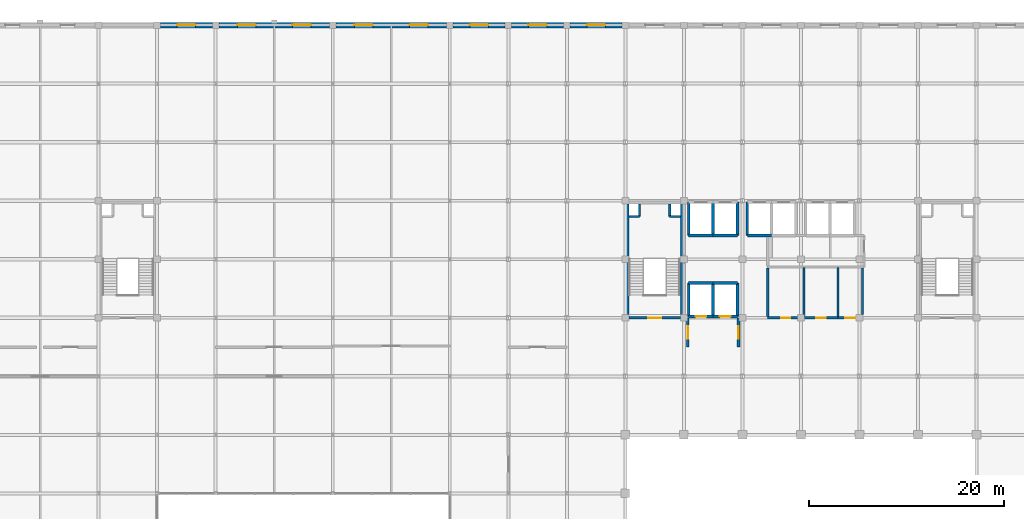
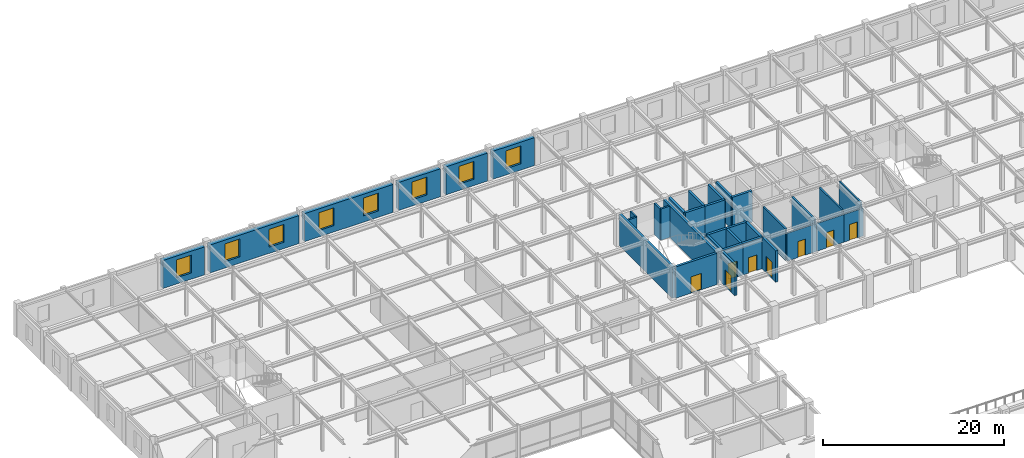
# One storey, part 101 of 108: 36 walls, 8 doors, 8 windows, 16 openings.
"""IFC4 building model written with IfcOpenShell, lengths in metres."""

from ifc_helpers import new_model, si_unit, direction, frame, frame_2d, origin, place, context, subcontext, project, spatial, rectangle, extrude, material, layer, layer_set, type_object, element, fill, save


model = new_model("IFC4")

# Units and contexts
model_context = context("Model", 3, precision=1e-05, world=origin(), true_north=direction((0.0, 1.0)))
body_context = subcontext(model_context, "Body", "Model", "MODEL_VIEW")
ifc_project = project(units=[si_unit("LENGTHUNIT", "METRE"), si_unit("AREAUNIT", "SQUARE_METRE"), si_unit("VOLUMEUNIT", "CUBIC_METRE"), si_unit("PLANEANGLEUNIT", "RADIAN"), si_unit("MASSUNIT", "GRAM", prefix="KILO")], contexts=[model_context])

# Site, building, storey
site_placement = place(None, origin())
site = spatial("IfcSite", under=ifc_project, at=site_placement, CompositionType="ELEMENT")
building_placement = place(site_placement, origin())
building = spatial("IfcBuilding", under=site, at=building_placement, Name="Zlatovratsky Civic Hall", CompositionType="ELEMENT")
storey_placement = place(building_placement, frame((0.0, 0.0, 12.0)))
storey = spatial("IfcBuildingStorey", under=building, at=storey_placement, Name="L03", CompositionType="ELEMENT", Elevation=12.0)

# Wall, opening, window
ifc_material_1 = material(Name="Acoustic ceramic blockwork", Category="masonry")
ifc_layer_1 = layer(ifc_material_1, 0.39990234375, Name="Backing")
ifc_material_2 = material(Name="Polished Karelian granite ashlar", Category="masonry")
ifc_layer_2 = layer(ifc_material_2, 0.139892578125, Name="Finish")
ifc_layer_set_1 = layer_set([ifc_layer_1, ifc_layer_2], Name="Acoustic ceramic blockwork")
wall_type_1 = type_object("IfcWallType", Name="Wall_PodiumGraniteArcade_540", PredefinedType="SOLIDWALL", material=ifc_layer_set_1)
wall_1_placement = place(storey_placement, frame((18.35009765625, 114.0, 0.0), z_axis=(0.0, 0.0, 1.0), x_axis=(1.0, 0.0, 0.0)))
wall_1 = element("IfcWall", 1, at=wall_1_placement, inside=storey, type_object=wall_type_1, Name="WL-0261", PredefinedType="SOLIDWALL", context=body_context, shape_type="SweptSolid", body=[
    extrude(rectangle(XDim=5.2998046875, YDim=0.5400390625, at=frame_2d((2.64990234375, 0.0))), origin(), (0.0, 0.0, 1.0), 3.77001953125),
])
opening_1_placement = place(wall_1_placement, frame((1.699951171875, 0.0, 0.85009765625)))
opening_1 = element("IfcOpeningElement", 2, at=opening_1_placement, cuts=wall_1, Name="Opening WN-08", PredefinedType="OPENING", context=body_context, shape_type="SweptSolid", body=[
    extrude(rectangle(XDim=1.89990234375, YDim=2.39990234375, at=frame_2d((0.949951171875, 1.199951171875))), frame((0.0, 0.284912109375, 0.0), z_axis=(0.0, -1.0, 0.0), x_axis=(1.0, 0.0, 0.0)), (0.0, 0.0, 1.0), 0.56982421875),
])
ifc_material_3 = material(Name="Low-E laminated double glazing", Category="glass")
window_type = type_object("IfcWindowType", Name="Window_CommitteeWingL03_1900x2400", PartitioningType="SINGLE_PANEL", PredefinedType="WINDOW", material=ifc_material_3)
window_1_placement = place(opening_1_placement, origin())
window_1 = element("IfcWindow", 3, at=window_1_placement, inside=storey, type_object=window_type, Name="WN-0191", OverallHeight=2.39990234375, OverallWidth=1.89990234375, PartitioningType="SINGLE_PANEL", PredefinedType="WINDOW", context=body_context, shape_type="SweptSolid", body=[
    extrude(rectangle(XDim=1.89990234375, YDim=2.39990234375, at=frame_2d((0.949951171875, 1.199951171875))), frame((0.0, 0.030029296875, 0.0), z_axis=(0.0, -1.0, 0.0), x_axis=(1.0, 0.0, 0.0)), (0.0, 0.0, 1.0), 0.06005859375),
])
fill(opening_1, window_1)

# Wall, openings, windows
wall_2_placement = place(storey_placement, frame((24.35009765625, 114.0, 0.0), z_axis=(0.0, 0.0, 1.0), x_axis=(1.0, 0.0, 0.0)))
wall_2 = element("IfcWall", 4, at=wall_2_placement, inside=storey, type_object=wall_type_1, Name="WL-0262", PredefinedType="SOLIDWALL", context=body_context, shape_type="SweptSolid", body=[
    extrude(rectangle(XDim=11.2998046875, YDim=0.5400390625, at=frame_2d((5.64990234375, 0.0))), origin(), (0.0, 0.0, 1.0), 3.77001953125),
])
opening_2_placement = place(wall_2_placement, frame((1.875, 0.0, 0.85009765625)))
opening_2 = element("IfcOpeningElement", 5, at=opening_2_placement, cuts=wall_2, Name="Opening WN-08", PredefinedType="OPENING", context=body_context, shape_type="SweptSolid", body=[
    extrude(rectangle(XDim=1.89990234375, YDim=2.39990234375, at=frame_2d((0.949951171875, 1.199951171875))), frame((0.0, 0.284912109375, 0.0), z_axis=(0.0, -1.0, 0.0), x_axis=(1.0, 0.0, 0.0)), (0.0, 0.0, 1.0), 0.56982421875),
])
opening_3_placement = place(wall_2_placement, frame((7.52490234375, 0.0, 0.85009765625)))
opening_3 = element("IfcOpeningElement", 6, at=opening_3_placement, cuts=wall_2, Name="Opening WN-08", PredefinedType="OPENING", context=body_context, shape_type="SweptSolid", body=[
    extrude(rectangle(XDim=1.89990234375, YDim=2.39990234375, at=frame_2d((0.949951171875, 1.199951171875))), frame((0.0, 0.284912109375, 0.0), z_axis=(0.0, -1.0, 0.0), x_axis=(1.0, 0.0, 0.0)), (0.0, 0.0, 1.0), 0.56982421875),
])
window_2_placement = place(opening_2_placement, origin())
window_2 = element("IfcWindow", 7, at=window_2_placement, inside=storey, type_object=window_type, Name="WN-0192", OverallHeight=2.39990234375, OverallWidth=1.89990234375, PartitioningType="SINGLE_PANEL", PredefinedType="WINDOW", context=body_context, shape_type="SweptSolid", body=[
    extrude(rectangle(XDim=1.89990234375, YDim=2.39990234375, at=frame_2d((0.949951171875, 1.199951171875))), frame((0.0, 0.030029296875, 0.0), z_axis=(0.0, -1.0, 0.0), x_axis=(1.0, 0.0, 0.0)), (0.0, 0.0, 1.0), 0.06005859375),
])
fill(opening_2, window_2)
window_3_placement = place(opening_3_placement, origin())
window_3 = element("IfcWindow", 8, at=window_3_placement, inside=storey, type_object=window_type, Name="WN-0193", OverallHeight=2.39990234375, OverallWidth=1.89990234375, PartitioningType="SINGLE_PANEL", PredefinedType="WINDOW", context=body_context, shape_type="SweptSolid", body=[
    extrude(rectangle(XDim=1.89990234375, YDim=2.39990234375, at=frame_2d((0.949951171875, 1.199951171875))), frame((0.0, 0.030029296875, 0.0), z_axis=(0.0, -1.0, 0.0), x_axis=(1.0, 0.0, 0.0)), (0.0, 0.0, 1.0), 0.06005859375),
])
fill(opening_3, window_3)

wall_3_placement = place(storey_placement, frame((36.35009765625, 114.0, 0.0), z_axis=(0.0, 0.0, 1.0), x_axis=(1.0, 0.0, 0.0)))
wall_3 = element("IfcWall", 9, at=wall_3_placement, inside=storey, type_object=wall_type_1, Name="WL-0263", PredefinedType="SOLIDWALL", context=body_context, shape_type="SweptSolid", body=[
    extrude(rectangle(XDim=11.2998046875, YDim=0.5400390625, at=frame_2d((5.64990234375, 0.0))), origin(), (0.0, 0.0, 1.0), 3.77001953125),
])
opening_4_placement = place(wall_3_placement, frame((1.875, 0.0, 0.85009765625)))
opening_4 = element("IfcOpeningElement", 10, at=opening_4_placement, cuts=wall_3, Name="Opening WN-08", PredefinedType="OPENING", context=body_context, shape_type="SweptSolid", body=[
    extrude(rectangle(XDim=1.89990234375, YDim=2.39990234375, at=frame_2d((0.949951171875, 1.199951171875))), frame((0.0, 0.284912109375, 0.0), z_axis=(0.0, -1.0, 0.0), x_axis=(1.0, 0.0, 0.0)), (0.0, 0.0, 1.0), 0.56982421875),
])
opening_5_placement = place(wall_3_placement, frame((7.52490234375, 0.0, 0.85009765625)))
opening_5 = element("IfcOpeningElement", 11, at=opening_5_placement, cuts=wall_3, Name="Opening WN-08", PredefinedType="OPENING", context=body_context, shape_type="SweptSolid", body=[
    extrude(rectangle(XDim=1.89990234375, YDim=2.39990234375, at=frame_2d((0.949951171875, 1.199951171875))), frame((0.0, 0.284912109375, 0.0), z_axis=(0.0, -1.0, 0.0), x_axis=(1.0, 0.0, 0.0)), (0.0, 0.0, 1.0), 0.56982421875),
])
window_4_placement = place(opening_4_placement, origin())
window_4 = element("IfcWindow", 12, at=window_4_placement, inside=storey, type_object=window_type, Name="WN-0194", OverallHeight=2.39990234375, OverallWidth=1.89990234375, PartitioningType="SINGLE_PANEL", PredefinedType="WINDOW", context=body_context, shape_type="SweptSolid", body=[
    extrude(rectangle(XDim=1.89990234375, YDim=2.39990234375, at=frame_2d((0.949951171875, 1.199951171875))), frame((0.0, 0.030029296875, 0.0), z_axis=(0.0, -1.0, 0.0), x_axis=(1.0, 0.0, 0.0)), (0.0, 0.0, 1.0), 0.06005859375),
])
fill(opening_4, window_4)
window_5_placement = place(opening_5_placement, origin())
window_5 = element("IfcWindow", 13, at=window_5_placement, inside=storey, type_object=window_type, Name="WN-0195", OverallHeight=2.39990234375, OverallWidth=1.89990234375, PartitioningType="SINGLE_PANEL", PredefinedType="WINDOW", context=body_context, shape_type="SweptSolid", body=[
    extrude(rectangle(XDim=1.89990234375, YDim=2.39990234375, at=frame_2d((0.949951171875, 1.199951171875))), frame((0.0, 0.030029296875, 0.0), z_axis=(0.0, -1.0, 0.0), x_axis=(1.0, 0.0, 0.0)), (0.0, 0.0, 1.0), 0.06005859375),
])
fill(opening_5, window_5)

# Wall, opening, window
wall_4_placement = place(storey_placement, frame((48.35009765625, 114.0, 0.0), z_axis=(0.0, 0.0, 1.0), x_axis=(1.0, 0.0, 0.0)))
wall_4 = element("IfcWall", 14, at=wall_4_placement, inside=storey, type_object=wall_type_1, Name="WL-0264", PredefinedType="SOLIDWALL", context=body_context, shape_type="SweptSolid", body=[
    extrude(rectangle(XDim=5.2998046875, YDim=0.5400390625, at=frame_2d((2.64990234375, 0.0))), origin(), (0.0, 0.0, 1.0), 3.77001953125),
])
opening_6_placement = place(wall_4_placement, frame((1.699951171875, 0.0, 0.85009765625)))
opening_6 = element("IfcOpeningElement", 15, at=opening_6_placement, cuts=wall_4, Name="Opening WN-08", PredefinedType="OPENING", context=body_context, shape_type="SweptSolid", body=[
    extrude(rectangle(XDim=1.89990234375, YDim=2.39990234375, at=frame_2d((0.949951171875, 1.199951171875))), frame((0.0, 0.284912109375, 0.0), z_axis=(0.0, -1.0, 0.0), x_axis=(1.0, 0.0, 0.0)), (0.0, 0.0, 1.0), 0.56982421875),
])
window_6_placement = place(opening_6_placement, origin())
window_6 = element("IfcWindow", 16, at=window_6_placement, inside=storey, type_object=window_type, Name="WN-0196", OverallHeight=2.39990234375, OverallWidth=1.89990234375, PartitioningType="SINGLE_PANEL", PredefinedType="WINDOW", context=body_context, shape_type="SweptSolid", body=[
    extrude(rectangle(XDim=1.89990234375, YDim=2.39990234375, at=frame_2d((0.949951171875, 1.199951171875))), frame((0.0, 0.030029296875, 0.0), z_axis=(0.0, -1.0, 0.0), x_axis=(1.0, 0.0, 0.0)), (0.0, 0.0, 1.0), 0.06005859375),
])
fill(opening_6, window_6)

wall_5_placement = place(storey_placement, frame((54.35009765625, 114.0, 0.0), z_axis=(0.0, 0.0, 1.0), x_axis=(1.0, 0.0, 0.0)))
wall_5 = element("IfcWall", 17, at=wall_5_placement, inside=storey, type_object=wall_type_1, Name="WL-0265", PredefinedType="SOLIDWALL", context=body_context, shape_type="SweptSolid", body=[
    extrude(rectangle(XDim=5.2998046875, YDim=0.5400390625, at=frame_2d((2.64990234375, 0.0))), origin(), (0.0, 0.0, 1.0), 3.77001953125),
])
opening_7_placement = place(wall_5_placement, frame((1.699951171875, 0.0, 0.85009765625)))
opening_7 = element("IfcOpeningElement", 18, at=opening_7_placement, cuts=wall_5, Name="Opening WN-08", PredefinedType="OPENING", context=body_context, shape_type="SweptSolid", body=[
    extrude(rectangle(XDim=1.89990234375, YDim=2.39990234375, at=frame_2d((0.949951171875, 1.199951171875))), frame((0.0, 0.284912109375, 0.0), z_axis=(0.0, -1.0, 0.0), x_axis=(1.0, 0.0, 0.0)), (0.0, 0.0, 1.0), 0.56982421875),
])
window_7_placement = place(opening_7_placement, origin())
window_7 = element("IfcWindow", 19, at=window_7_placement, inside=storey, type_object=window_type, Name="WN-0197", OverallHeight=2.39990234375, OverallWidth=1.89990234375, PartitioningType="SINGLE_PANEL", PredefinedType="WINDOW", context=body_context, shape_type="SweptSolid", body=[
    extrude(rectangle(XDim=1.89990234375, YDim=2.39990234375, at=frame_2d((0.949951171875, 1.199951171875))), frame((0.0, 0.030029296875, 0.0), z_axis=(0.0, -1.0, 0.0), x_axis=(1.0, 0.0, 0.0)), (0.0, 0.0, 1.0), 0.06005859375),
])
fill(opening_7, window_7)

wall_6_placement = place(storey_placement, frame((60.35009765625, 114.0, 0.0), z_axis=(0.0, 0.0, 1.0), x_axis=(1.0, 0.0, 0.0)))
wall_6 = element("IfcWall", 20, at=wall_6_placement, inside=storey, type_object=wall_type_1, Name="WL-0266", PredefinedType="SOLIDWALL", context=body_context, shape_type="SweptSolid", body=[
    extrude(rectangle(XDim=5.2998046875, YDim=0.5400390625, at=frame_2d((2.64990234375, 0.0))), origin(), (0.0, 0.0, 1.0), 3.77001953125),
])
opening_8_placement = place(wall_6_placement, frame((1.699951171875, 0.0, 0.85009765625)))
opening_8 = element("IfcOpeningElement", 21, at=opening_8_placement, cuts=wall_6, Name="Opening WN-08", PredefinedType="OPENING", context=body_context, shape_type="SweptSolid", body=[
    extrude(rectangle(XDim=1.89990234375, YDim=2.39990234375, at=frame_2d((0.949951171875, 1.199951171875))), frame((0.0, 0.284912109375, 0.0), z_axis=(0.0, -1.0, 0.0), x_axis=(1.0, 0.0, 0.0)), (0.0, 0.0, 1.0), 0.56982421875),
])
window_8_placement = place(opening_8_placement, origin())
window_8 = element("IfcWindow", 22, at=window_8_placement, inside=storey, type_object=window_type, Name="WN-0198", OverallHeight=2.39990234375, OverallWidth=1.89990234375, PartitioningType="SINGLE_PANEL", PredefinedType="WINDOW", context=body_context, shape_type="SweptSolid", body=[
    extrude(rectangle(XDim=1.89990234375, YDim=2.39990234375, at=frame_2d((0.949951171875, 1.199951171875))), frame((0.0, 0.030029296875, 0.0), z_axis=(0.0, -1.0, 0.0), x_axis=(1.0, 0.0, 0.0)), (0.0, 0.0, 1.0), 0.06005859375),
])
fill(opening_8, window_8)

# Walls
ifc_layer_3 = layer(ifc_material_1, 0.219970703125)
ifc_layer_set_2 = layer_set([ifc_layer_3], Name="Acoustic ceramic blockwork")
wall_type_2 = type_object("IfcWallType", Name="Wall_SanitaryWetCore_220", PredefinedType="PARTITIONING", material=ifc_layer_set_2)
wall_7_placement = place(storey_placement, frame((67.449951171875, 94.39990234375, 0.0), z_axis=(0.0, 0.0, 1.0), x_axis=(0.0, 1.0, 0.0)))
element("IfcWall", 23, at=wall_7_placement, inside=storey, type_object=wall_type_2, Name="WL-5029", PredefinedType="PARTITIONING", context=body_context, shape_type="SweptSolid", body=[
    extrude(rectangle(XDim=1.25, YDim=0.219970703125, at=frame_2d((0.625, 0.0))), origin(), (0.0, 0.0, 1.0), 4.219970703125),
])
wall_8_placement = place(storey_placement, frame((66.35009765625, 94.39990234375, 0.0), z_axis=(0.0, 0.0, 1.0), x_axis=(1.0, 0.0, 0.0)))
element("IfcWall", 24, at=wall_8_placement, inside=storey, type_object=wall_type_2, Name="WL-5030", PredefinedType="PARTITIONING", context=body_context, shape_type="SweptSolid", body=[
    extrude(rectangle(XDim=1.099853515625, YDim=0.219970703125, at=frame_2d((0.5498046875, 0.0))), origin(), (0.0, 0.0, 1.0), 4.219970703125),
])
wall_9_placement = place(storey_placement, frame((70.550048828125, 94.39990234375, 0.0), z_axis=(0.0, 0.0, 1.0), x_axis=(0.0, 1.0, 0.0)))
element("IfcWall", 25, at=wall_9_placement, inside=storey, type_object=wall_type_2, Name="WL-5031", PredefinedType="PARTITIONING", context=body_context, shape_type="SweptSolid", body=[
    extrude(rectangle(XDim=1.25, YDim=0.219970703125, at=frame_2d((0.625, 0.0))), origin(), (0.0, 0.0, 1.0), 4.219970703125),
])
wall_10_placement = place(storey_placement, frame((70.550048828125, 94.39990234375, 0.0), z_axis=(0.0, 0.0, 1.0), x_axis=(1.0, 0.0, 0.0)))
element("IfcWall", 26, at=wall_10_placement, inside=storey, type_object=wall_type_2, Name="WL-5032", PredefinedType="PARTITIONING", context=body_context, shape_type="SweptSolid", body=[
    extrude(rectangle(XDim=1.099853515625, YDim=0.219970703125, at=frame_2d((0.5498046875, 0.0))), origin(), (0.0, 0.0, 1.0), 4.219970703125),
])

# Wall, opening, door
wall_11_placement = place(storey_placement, frame((80.60009765625, 84.0, 0.0), z_axis=(0.0, 0.0, 1.0), x_axis=(1.0, 0.0, 0.0)))
wall_11 = element("IfcWall", 27, at=wall_11_placement, inside=storey, type_object=wall_type_2, Name="WL-6162", PredefinedType="PARTITIONING", context=body_context, shape_type="SweptSolid", body=[
    extrude(rectangle(XDim=3.699951171875, YDim=0.219970703125, at=frame_2d((1.85009765625, 0.0))), origin(), (0.0, 0.0, 1.0), 3.738037109375),
])
opening_9_placement = place(wall_11_placement, frame((1.375, 0.0, 0.0)))
opening_9 = element("IfcOpeningElement", 28, at=opening_9_placement, cuts=wall_11, Name="Opening D-21", PredefinedType="OPENING", context=body_context, shape_type="SweptSolid", body=[
    extrude(rectangle(XDim=0.949951171875, YDim=2.14990234375, at=frame_2d((0.47509765625, 1.074951171875))), frame((0.0, 0.125, 0.0), z_axis=(0.0, -1.0, 0.0), x_axis=(1.0, 0.0, 0.0)), (0.0, 0.0, 1.0), 0.249755859375),
])
ifc_material_4 = material(Name="Solid oak joinery in steel frame", Category="steel")
door_type_1 = type_object("IfcDoorType", Name="Door_MensWC_950x2150", OperationType="NOTDEFINED", PredefinedType="DOOR", material=ifc_material_4)
door_1_placement = place(opening_9_placement, origin())
door_1 = element("IfcDoor", 29, at=door_1_placement, inside=storey, type_object=door_type_1, Name="DR-5286", OperationType="SINGLE_SWING_LEFT", OverallHeight=2.14990234375, OverallWidth=0.949951171875, PredefinedType="DOOR", context=body_context, shape_type="SweptSolid", body=[
    extrude(rectangle(XDim=0.949951171875, YDim=2.14990234375, at=frame_2d((0.47509765625, 1.074951171875))), frame((0.0, 0.02490234375, 0.0), z_axis=(0.0, -1.0, 0.0), x_axis=(1.0, 0.0, 0.0)), (0.0, 0.0, 1.0), 0.050048828125),
])
fill(opening_9, door_1)

wall_12_placement = place(storey_placement, frame((84.300048828125, 84.0, 0.0), z_axis=(0.0, 0.0, 1.0), x_axis=(1.0, 0.0, 0.0)))
wall_12 = element("IfcWall", 30, at=wall_12_placement, inside=storey, type_object=wall_type_2, Name="WL-6163", PredefinedType="PARTITIONING", context=body_context, shape_type="SweptSolid", body=[
    extrude(rectangle(XDim=3.5, YDim=0.219970703125, at=frame_2d((1.75, 0.0))), origin(), (0.0, 0.0, 1.0), 3.738037109375),
])
opening_10_placement = place(wall_12_placement, frame((1.27490234375, 0.0, 0.0)))
opening_10 = element("IfcOpeningElement", 31, at=opening_10_placement, cuts=wall_12, Name="Opening D-22", PredefinedType="OPENING", context=body_context, shape_type="SweptSolid", body=[
    extrude(rectangle(XDim=0.949951171875, YDim=2.10009765625, at=frame_2d((0.47509765625, 1.050048828125))), frame((0.0, 0.125, 0.0), z_axis=(0.0, -1.0, 0.0), x_axis=(1.0, 0.0, 0.0)), (0.0, 0.0, 1.0), 0.249755859375),
])
door_type_2 = type_object("IfcDoorType", Name="Door_WomensWC_950x2100", OperationType="NOTDEFINED", PredefinedType="DOOR", material=ifc_material_4)
door_2_placement = place(opening_10_placement, origin())
door_2 = element("IfcDoor", 32, at=door_2_placement, inside=storey, type_object=door_type_2, Name="DR-5287", OperationType="SINGLE_SWING_RIGHT", OverallHeight=2.10009765625, OverallWidth=0.949951171875, PredefinedType="DOOR", context=body_context, shape_type="SweptSolid", body=[
    extrude(rectangle(XDim=0.949951171875, YDim=2.10009765625, at=frame_2d((0.47509765625, 1.050048828125))), frame((0.0, 0.02490234375, 0.0), z_axis=(0.0, -1.0, 0.0), x_axis=(1.0, 0.0, 0.0)), (0.0, 0.0, 1.0), 0.050048828125),
])
fill(opening_10, door_2)

wall_13_placement = place(storey_placement, frame((87.800048828125, 84.0, 0.0), z_axis=(0.0, 0.0, 1.0), x_axis=(1.0, 0.0, 0.0)))
wall_13 = element("IfcWall", 33, at=wall_13_placement, inside=storey, type_object=wall_type_2, Name="WL-6164", PredefinedType="PARTITIONING", context=body_context, shape_type="SweptSolid", body=[
    extrude(rectangle(XDim=2.5, YDim=0.219970703125, at=frame_2d((1.25, 0.0))), origin(), (0.0, 0.0, 1.0), 3.738037109375),
])
opening_11_placement = place(wall_13_placement, frame((0.75, 0.0, 0.0)))
opening_11 = element("IfcOpeningElement", 34, at=opening_11_placement, cuts=wall_13, Name="Opening D-20", PredefinedType="OPENING", context=body_context, shape_type="SweptSolid", body=[
    extrude(rectangle(XDim=1.0, YDim=2.14990234375, at=frame_2d((0.5, 1.074951171875))), frame((0.0, 0.125, 0.0), z_axis=(0.0, -1.0, 0.0), x_axis=(1.0, 0.0, 0.0)), (0.0, 0.0, 1.0), 0.249755859375),
])
door_type_3 = type_object("IfcDoorType", Name="Door_AccessibleWC_1000x2150", OperationType="NOTDEFINED", PredefinedType="DOOR", material=ifc_material_4)
door_3_placement = place(opening_11_placement, origin())
door_3 = element("IfcDoor", 35, at=door_3_placement, inside=storey, type_object=door_type_3, Name="DR-5288", OperationType="SINGLE_SWING_LEFT", OverallHeight=2.14990234375, OverallWidth=1.0, PredefinedType="DOOR", context=body_context, shape_type="SweptSolid", body=[
    extrude(rectangle(XDim=1.0, YDim=2.14990234375, at=frame_2d((0.5, 1.074951171875))), frame((0.0, 0.02490234375, 0.0), z_axis=(0.0, -1.0, 0.0), x_axis=(1.0, 0.0, 0.0)), (0.0, 0.0, 1.0), 0.050048828125),
])
fill(opening_11, door_3)

# Walls
for number, where, z_axis, x_axis, name in (
    (36, (84.300048828125, 84.14990234375, 0.0), (0.0, 0.0, 1.0), (0.0, 1.0, 0.0), "WL-6165"),
    (37, (87.800048828125, 84.14990234375, 0.0), (0.0, 0.0, 1.0), (0.0, 1.0, 0.0), "WL-6166"),
):
    element("IfcWall", number, at=place(storey_placement, frame(where, z_axis=z_axis, x_axis=x_axis)), inside=storey, type_object=wall_type_2, Name=name, PredefinedType="PARTITIONING", context=body_context, shape_type="SweptSolid", body=[
        extrude(rectangle(XDim=5.0, YDim=0.219970703125, at=frame_2d((2.5, 0.0))), origin(), (0.0, 0.0, 1.0), 4.219970703125),
    ])
wall_14_placement = place(storey_placement, frame((80.60009765625, 84.110107421875, 0.0), z_axis=(0.0, 0.0, 1.0), x_axis=(0.0, 1.0, 0.0)))
element("IfcWall", 38, at=wall_14_placement, inside=storey, type_object=wall_type_2, Name="WL-6205", PredefinedType="PARTITIONING", context=body_context, shape_type="SweptSolid", body=[
    extrude(rectangle(XDim=4.97998046875, YDim=0.219970703125, at=frame_2d((2.489990234375, 0.0))), origin(), (0.0, 0.0, 1.0), 4.219970703125),
])
wall_15_placement = place(storey_placement, frame((90.300048828125, 84.360107421875, 0.0), z_axis=(0.0, 0.0, 1.0), x_axis=(0.0, 1.0, 0.0)))
element("IfcWall", 39, at=wall_15_placement, inside=storey, type_object=wall_type_2, Name="WL-6206", PredefinedType="PARTITIONING", context=body_context, shape_type="SweptSolid", body=[
    extrude(rectangle(XDim=4.72998046875, YDim=0.219970703125, at=frame_2d((2.364990234375, 0.0))), origin(), (0.0, 0.0, 1.0), 4.219970703125),
])

# Wall, opening, door
ifc_material_5 = material(Name="Concrete C35/45 (B40)", Category="concrete")
ifc_layer_4 = layer(ifc_material_5, 0.300048828125)
ifc_layer_set_3 = layer_set([ifc_layer_4], Name="Concrete C35/45 (B40)")
wall_type_3 = type_object("IfcWallType", Name="Wall_StairAndLiftShaft_300", PredefinedType="SHEAR", material=ifc_layer_set_3)
wall_16_placement = place(storey_placement, frame((66.35009765625, 84.0, 0.0), z_axis=(0.0, 0.0, 1.0), x_axis=(1.0, 0.0, 0.0)))
wall_16 = element("IfcWall", 40, at=wall_16_placement, inside=storey, type_object=wall_type_3, Name="WL-5025", PredefinedType="SHEAR", context=body_context, shape_type="SweptSolid", body=[
    extrude(rectangle(XDim=5.2998046875, YDim=0.300048828125, at=frame_2d((2.64990234375, 0.0))), origin(), (0.0, 0.0, 1.0), 4.219970703125),
])
opening_12_placement = place(wall_16_placement, frame((1.97509765625, 0.0, 0.0)))
opening_12 = element("IfcOpeningElement", 41, at=opening_12_placement, cuts=wall_16, Name="Opening D-17", PredefinedType="OPENING", context=body_context, shape_type="SweptSolid", body=[
    extrude(rectangle(XDim=1.35009765625, YDim=2.199951171875, at=frame_2d((0.675048828125, 1.10009765625))), frame((0.0, 0.1650390625, 0.0), z_axis=(0.0, -1.0, 0.0), x_axis=(1.0, 0.0, 0.0)), (0.0, 0.0, 1.0), 0.329833984375),
])
ifc_material_6 = material(Name="Insulated painted fire-rated steel leaf", Category="steel")
door_type_4 = type_object("IfcDoorType", Name="Door_StairwellFireTower_1350x2200", OperationType="NOTDEFINED", PredefinedType="DOOR", material=ifc_material_6)
door_4_placement = place(opening_12_placement, origin())
door_4 = element("IfcDoor", 42, at=door_4_placement, inside=storey, type_object=door_type_4, Name="DR-5004", OperationType="SINGLE_SWING_LEFT", OverallHeight=2.199951171875, OverallWidth=1.35009765625, PredefinedType="DOOR", context=body_context, shape_type="SweptSolid", body=[
    extrude(rectangle(XDim=1.35009765625, YDim=2.199951171875, at=frame_2d((0.675048828125, 1.10009765625))), frame((0.0, 0.02490234375, 0.0), z_axis=(0.0, -1.0, 0.0), x_axis=(1.0, 0.0, 0.0)), (0.0, 0.0, 1.0), 0.050048828125),
])
fill(opening_12, door_4)

# Walls
for number, where, z_axis, x_axis, name in (
    (43, (66.199951171875, 84.0, 0.0), (0.0, 0.0, 1.0), (0.0, 1.0, 0.0), "WL-5027"),
    (44, (71.800048828125, 84.0, 0.0), (0.0, 0.0, 1.0), (0.0, 1.0, 0.0), "WL-5028"),
):
    element("IfcWall", number, at=place(storey_placement, frame(where, z_axis=z_axis, x_axis=x_axis)), inside=storey, type_object=wall_type_3, Name=name, PredefinedType="SHEAR", context=body_context, shape_type="SweptSolid", body=[
        extrude(rectangle(XDim=11.800048828125, YDim=0.300048828125, at=frame_2d((5.89990234375, 0.0))), origin(), (0.0, 0.0, 1.0), 4.219970703125),
    ])

# Wall, opening, door
wall_17_placement = place(storey_placement, frame((72.5, 84.14990234375, 0.0), z_axis=(0.0, 0.0, 1.0), x_axis=(1.0, 0.0, 0.0)))
wall_17 = element("IfcWall", 45, at=wall_17_placement, inside=storey, type_object=wall_type_3, Name="WL-5502", PredefinedType="SHEAR", context=body_context, shape_type="SweptSolid", body=[
    extrude(rectangle(XDim=2.5, YDim=0.300048828125, at=frame_2d((1.25, 0.0))), origin(), (0.0, 0.0, 1.0), 4.219970703125),
])
opening_13_placement = place(wall_17_placement, frame((0.699951171875, 0.0, 0.0)))
opening_13 = element("IfcOpeningElement", 46, at=opening_13_placement, cuts=wall_17, Name="Opening LD-01", PredefinedType="OPENING", context=body_context, shape_type="SweptSolid", body=[
    extrude(rectangle(XDim=1.10009765625, YDim=2.10009765625, at=frame_2d((0.550048828125, 1.050048828125))), frame((0.0, 0.1650390625, 0.0), z_axis=(0.0, -1.0, 0.0), x_axis=(1.0, 0.0, 0.0)), (0.0, 0.0, 1.0), 0.329833984375),
])
ifc_material_7 = material(Name="Brushed stainless steel AISI 304", Category="steel")
door_type_5 = type_object("IfcDoorType", Name="Door_LiftLandingFire_1100x2100", OperationType="DOUBLE_DOOR_SLIDING", PredefinedType="DOOR", material=ifc_material_7)
door_5_placement = place(opening_13_placement, origin())
door_5 = element("IfcDoor", 47, at=door_5_placement, inside=storey, type_object=door_type_5, Name="Lift landing door LD-5062", OperationType="DOUBLE_DOOR_SLIDING", OverallHeight=2.10009765625, OverallWidth=1.10009765625, PredefinedType="DOOR", context=body_context, shape_type="SweptSolid", body=[
    extrude(rectangle(XDim=1.10009765625, YDim=2.10009765625, at=frame_2d((0.550048828125, 1.050048828125))), frame((0.0, 0.02490234375, 0.0), z_axis=(0.0, -1.0, 0.0), x_axis=(1.0, 0.0, 0.0)), (0.0, 0.0, 1.0), 0.050048828125),
])
fill(opening_13, door_5)

# Walls
wall_18_placement = place(storey_placement, frame((72.5, 87.550048828125, 0.0), z_axis=(0.0, 0.0, 1.0), x_axis=(1.0, 0.0, 0.0)))
element("IfcWall", 48, at=wall_18_placement, inside=storey, type_object=wall_type_3, Name="WL-5503", PredefinedType="SHEAR", context=body_context, shape_type="SweptSolid", body=[
    extrude(rectangle(XDim=2.5, YDim=0.300048828125, at=frame_2d((1.25, 0.0))), origin(), (0.0, 0.0, 1.0), 4.219970703125),
])
wall_19_placement = place(storey_placement, frame((72.5, 84.14990234375, 0.0), z_axis=(0.0, 0.0, 1.0), x_axis=(0.0, 1.0, 0.0)))
element("IfcWall", 49, at=wall_19_placement, inside=storey, type_object=wall_type_3, Name="WL-5504", PredefinedType="SHEAR", context=body_context, shape_type="SweptSolid", body=[
    extrude(rectangle(XDim=3.400146484375, YDim=0.300048828125, at=frame_2d((1.7001953125, 0.0))), origin(), (0.0, 0.0, 1.0), 4.219970703125),
])

# Wall, opening, door
wall_20_placement = place(storey_placement, frame((75.0, 84.14990234375, 0.0), z_axis=(0.0, 0.0, 1.0), x_axis=(1.0, 0.0, 0.0)))
wall_20 = element("IfcWall", 50, at=wall_20_placement, inside=storey, type_object=wall_type_3, Name="WL-5562", PredefinedType="SHEAR", context=body_context, shape_type="SweptSolid", body=[
    extrude(rectangle(XDim=2.5, YDim=0.300048828125, at=frame_2d((1.25, 0.0))), origin(), (0.0, 0.0, 1.0), 4.219970703125),
])
opening_14_placement = place(wall_20_placement, frame((0.699951171875, 0.0, 0.0)))
opening_14 = element("IfcOpeningElement", 51, at=opening_14_placement, cuts=wall_20, Name="Opening LD-01", PredefinedType="OPENING", context=body_context, shape_type="SweptSolid", body=[
    extrude(rectangle(XDim=1.10009765625, YDim=2.10009765625, at=frame_2d((0.550048828125, 1.050048828125))), frame((0.0, 0.1650390625, 0.0), z_axis=(0.0, -1.0, 0.0), x_axis=(1.0, 0.0, 0.0)), (0.0, 0.0, 1.0), 0.329833984375),
])
door_6_placement = place(opening_14_placement, origin())
door_6 = element("IfcDoor", 52, at=door_6_placement, inside=storey, type_object=door_type_5, Name="Lift landing door LD-5081", OperationType="DOUBLE_DOOR_SLIDING", OverallHeight=2.10009765625, OverallWidth=1.10009765625, PredefinedType="DOOR", context=body_context, shape_type="SweptSolid", body=[
    extrude(rectangle(XDim=1.10009765625, YDim=2.10009765625, at=frame_2d((0.550048828125, 1.050048828125))), frame((0.0, 0.02490234375, 0.0), z_axis=(0.0, -1.0, 0.0), x_axis=(1.0, 0.0, 0.0)), (0.0, 0.0, 1.0), 0.050048828125),
])
fill(opening_14, door_6)

# Walls
wall_21_placement = place(storey_placement, frame((75.0, 87.550048828125, 0.0), z_axis=(0.0, 0.0, 1.0), x_axis=(1.0, 0.0, 0.0)))
element("IfcWall", 53, at=wall_21_placement, inside=storey, type_object=wall_type_3, Name="WL-5563", PredefinedType="SHEAR", context=body_context, shape_type="SweptSolid", body=[
    extrude(rectangle(XDim=2.5, YDim=0.300048828125, at=frame_2d((1.25, 0.0))), origin(), (0.0, 0.0, 1.0), 4.219970703125),
])
for number, where, z_axis, x_axis, name in (
    (54, (75.0, 84.14990234375, 0.0), (0.0, 0.0, 1.0), (0.0, 1.0, 0.0), "WL-5564"),
    (55, (77.5, 84.14990234375, 0.0), (0.0, 0.0, 1.0), (0.0, 1.0, 0.0), "WL-5565"),
):
    element("IfcWall", number, at=place(storey_placement, frame(where, z_axis=z_axis, x_axis=x_axis)), inside=storey, type_object=wall_type_3, Name=name, PredefinedType="SHEAR", context=body_context, shape_type="SweptSolid", body=[
        extrude(rectangle(XDim=3.400146484375, YDim=0.300048828125, at=frame_2d((1.7001953125, 0.0))), origin(), (0.0, 0.0, 1.0), 4.219970703125),
    ])
wall_22_placement = place(storey_placement, frame((72.5, 92.449951171875, 0.0), z_axis=(0.0, 0.0, 1.0), x_axis=(1.0, 0.0, 0.0)))
element("IfcWall", 56, at=wall_22_placement, inside=storey, type_object=wall_type_3, Name="WL-5636", PredefinedType="SHEAR", context=body_context, shape_type="SweptSolid", body=[
    extrude(rectangle(XDim=2.5, YDim=0.300048828125, at=frame_2d((1.25, 0.0))), origin(), (0.0, 0.0, 1.0), 4.219970703125),
])
wall_23_placement = place(storey_placement, frame((72.5, 92.449951171875, 0.0), z_axis=(0.0, 0.0, 1.0), x_axis=(0.0, 1.0, 0.0)))
element("IfcWall", 57, at=wall_23_placement, inside=storey, type_object=wall_type_3, Name="WL-5637", PredefinedType="SHEAR", context=body_context, shape_type="SweptSolid", body=[
    extrude(rectangle(XDim=3.400146484375, YDim=0.300048828125, at=frame_2d((1.7001953125, 0.0))), origin(), (0.0, 0.0, 1.0), 4.219970703125),
])
wall_24_placement = place(storey_placement, frame((75.0, 92.449951171875, 0.0), z_axis=(0.0, 0.0, 1.0), x_axis=(1.0, 0.0, 0.0)))
element("IfcWall", 58, at=wall_24_placement, inside=storey, type_object=wall_type_3, Name="WL-5696", PredefinedType="SHEAR", context=body_context, shape_type="SweptSolid", body=[
    extrude(rectangle(XDim=2.5, YDim=0.300048828125, at=frame_2d((1.25, 0.0))), origin(), (0.0, 0.0, 1.0), 4.219970703125),
])
for number, where, z_axis, x_axis, name in (
    (59, (75.0, 92.449951171875, 0.0), (0.0, 0.0, 1.0), (0.0, 1.0, 0.0), "WL-5697"),
    (60, (77.5, 92.449951171875, 0.0), (0.0, 0.0, 1.0), (0.0, 1.0, 0.0), "WL-5698"),
):
    element("IfcWall", number, at=place(storey_placement, frame(where, z_axis=z_axis, x_axis=x_axis)), inside=storey, type_object=wall_type_3, Name=name, PredefinedType="SHEAR", context=body_context, shape_type="SweptSolid", body=[
        extrude(rectangle(XDim=3.400146484375, YDim=0.300048828125, at=frame_2d((1.7001953125, 0.0))), origin(), (0.0, 0.0, 1.0), 4.219970703125),
    ])
wall_25_placement = place(storey_placement, frame((78.5, 92.449951171875, 0.0), z_axis=(0.0, 0.0, 1.0), x_axis=(1.0, 0.0, 0.0)))
element("IfcWall", 61, at=wall_25_placement, inside=storey, type_object=wall_type_3, Name="WL-5769", PredefinedType="SHEAR", context=body_context, shape_type="SweptSolid", body=[
    extrude(rectangle(XDim=2.5, YDim=0.300048828125, at=frame_2d((1.25, 0.0))), origin(), (0.0, 0.0, 1.0), 4.219970703125),
])
wall_26_placement = place(storey_placement, frame((78.5, 92.449951171875, 0.0), z_axis=(0.0, 0.0, 1.0), x_axis=(0.0, 1.0, 0.0)))
element("IfcWall", 62, at=wall_26_placement, inside=storey, type_object=wall_type_3, Name="WL-5770", PredefinedType="SHEAR", context=body_context, shape_type="SweptSolid", body=[
    extrude(rectangle(XDim=3.400146484375, YDim=0.300048828125, at=frame_2d((1.7001953125, 0.0))), origin(), (0.0, 0.0, 1.0), 4.219970703125),
])

# Wall, opening, door
wall_27_placement = place(storey_placement, frame((72.39990234375, 81.0, 0.0), z_axis=(0.0, 0.0, 1.0), x_axis=(0.0, 1.0, 0.0)))
wall_27 = element("IfcWall", 63, at=wall_27_placement, inside=storey, type_object=wall_type_3, Name="WL-6160", PredefinedType="SHEAR", context=body_context, shape_type="SweptSolid", body=[
    extrude(rectangle(XDim=3.0, YDim=0.300048828125, at=frame_2d((1.5, 0.0))), origin(), (0.0, 0.0, 1.0), 4.219970703125),
])
opening_15_placement = place(wall_27_placement, frame((0.85009765625, 0.0, 0.0)))
opening_15 = element("IfcOpeningElement", 64, at=opening_15_placement, cuts=wall_27, Name="Opening D-18", PredefinedType="OPENING", context=body_context, shape_type="SweptSolid", body=[
    extrude(rectangle(XDim=1.300048828125, YDim=2.199951171875, at=frame_2d((0.64990234375, 1.10009765625))), frame((0.0, 0.1650390625, 0.0), z_axis=(0.0, -1.0, 0.0), x_axis=(1.0, 0.0, 0.0)), (0.0, 0.0, 1.0), 0.329833984375),
])
door_type_6 = type_object("IfcDoorType", Name="Door_FireLobbyAirlock_1300x2200", OperationType="NOTDEFINED", PredefinedType="DOOR", material=ifc_material_6)
door_7_placement = place(opening_15_placement, origin())
door_7 = element("IfcDoor", 65, at=door_7_placement, inside=storey, type_object=door_type_6, Name="DR-5284", OperationType="SINGLE_SWING_RIGHT", OverallHeight=2.199951171875, OverallWidth=1.300048828125, PredefinedType="DOOR", context=body_context, shape_type="SweptSolid", body=[
    extrude(rectangle(XDim=1.300048828125, YDim=2.199951171875, at=frame_2d((0.64990234375, 1.10009765625))), frame((0.0, 0.02490234375, 0.0), z_axis=(0.0, -1.0, 0.0), x_axis=(1.0, 0.0, 0.0)), (0.0, 0.0, 1.0), 0.050048828125),
])
fill(opening_15, door_7)

wall_28_placement = place(storey_placement, frame((77.60009765625, 81.0, 0.0), z_axis=(0.0, 0.0, 1.0), x_axis=(0.0, 1.0, 0.0)))
wall_28 = element("IfcWall", 66, at=wall_28_placement, inside=storey, type_object=wall_type_3, Name="WL-6161", PredefinedType="SHEAR", context=body_context, shape_type="SweptSolid", body=[
    extrude(rectangle(XDim=3.0, YDim=0.300048828125, at=frame_2d((1.5, 0.0))), origin(), (0.0, 0.0, 1.0), 4.219970703125),
])
opening_16_placement = place(wall_28_placement, frame((0.85009765625, 0.0, 0.0)))
opening_16 = element("IfcOpeningElement", 67, at=opening_16_placement, cuts=wall_28, Name="Opening D-18", PredefinedType="OPENING", context=body_context, shape_type="SweptSolid", body=[
    extrude(rectangle(XDim=1.300048828125, YDim=2.199951171875, at=frame_2d((0.64990234375, 1.10009765625))), frame((0.0, 0.1650390625, 0.0), z_axis=(0.0, -1.0, 0.0), x_axis=(1.0, 0.0, 0.0)), (0.0, 0.0, 1.0), 0.329833984375),
])
door_8_placement = place(opening_16_placement, origin())
door_8 = element("IfcDoor", 68, at=door_8_placement, inside=storey, type_object=door_type_6, Name="DR-5285", OperationType="SINGLE_SWING_RIGHT", OverallHeight=2.199951171875, OverallWidth=1.300048828125, PredefinedType="DOOR", context=body_context, shape_type="SweptSolid", body=[
    extrude(rectangle(XDim=1.300048828125, YDim=2.199951171875, at=frame_2d((0.64990234375, 1.10009765625))), frame((0.0, 0.02490234375, 0.0), z_axis=(0.0, -1.0, 0.0), x_axis=(1.0, 0.0, 0.0)), (0.0, 0.0, 1.0), 0.050048828125),
])
fill(opening_16, door_8)

save(model, "model.ifc")
